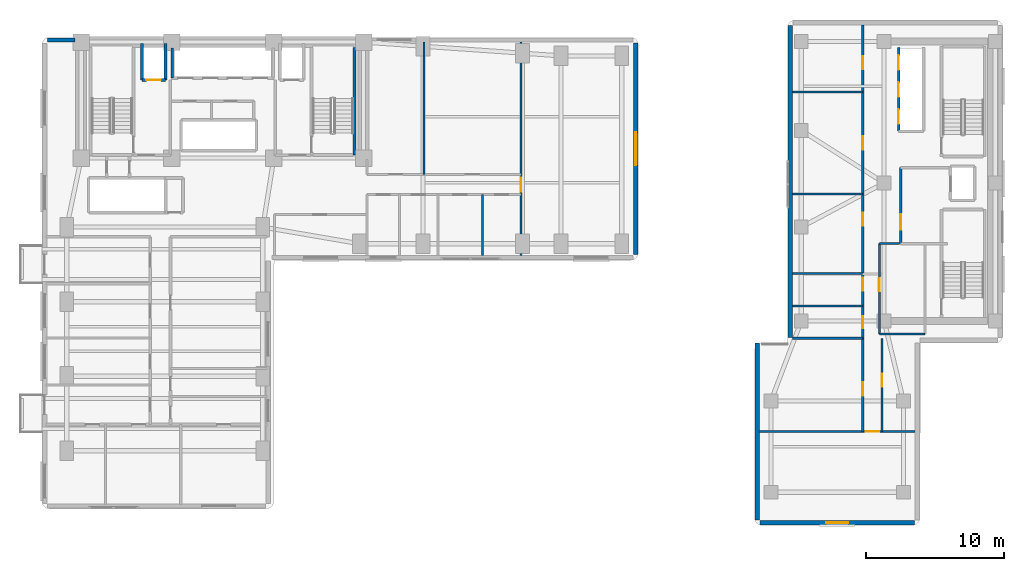
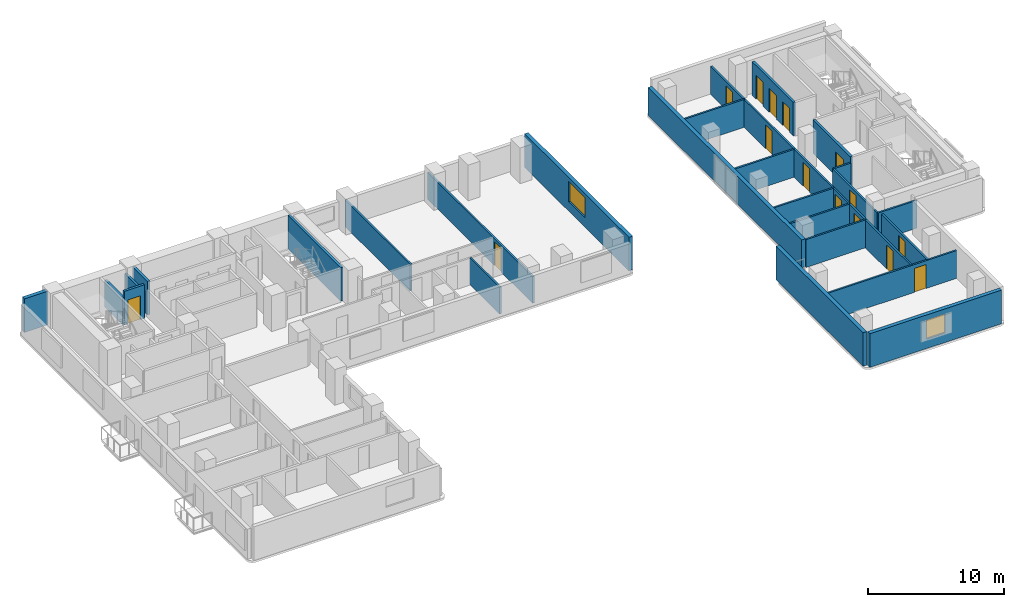
# One storey, part 12 of 18: 27 walls, 15 doors, 2 windows, 17 openings.
"""IFC4 building model written with IfcOpenShell, lengths in metres."""

from ifc_helpers import new_model, si_unit, direction, frame, frame_2d, origin, place, context, subcontext, project, spatial, rectangle, extrude, material, layer, layer_set, type_object, element, fill, save


model = new_model("IFC4")

# Units and contexts
model_context = context("Model", 3, precision=1e-05, world=origin(), true_north=direction((0.0, 1.0)))
body_context = subcontext(model_context, "Body", "Model", "MODEL_VIEW")
ifc_project = project(units=[si_unit("LENGTHUNIT", "METRE"), si_unit("AREAUNIT", "SQUARE_METRE"), si_unit("VOLUMEUNIT", "CUBIC_METRE"), si_unit("PLANEANGLEUNIT", "RADIAN"), si_unit("MASSUNIT", "GRAM", prefix="KILO")], contexts=[model_context])

# Site, building, storey
site_placement = place(None, origin())
site = spatial("IfcSite", under=ifc_project, at=site_placement, CompositionType="ELEMENT")
building_placement = place(site_placement, origin())
building = spatial("IfcBuilding", under=site, at=building_placement, Name="Kuzgunbayir Cultural Tower", CompositionType="ELEMENT")
storey_placement = place(building_placement, frame((0.0, 0.0, 53.199951171875)))
storey = spatial("IfcBuildingStorey", under=building, at=storey_placement, Name="L14", CompositionType="ELEMENT", Elevation=53.199951171875)

# Wall
ifc_material_1 = material(Name="Travertine Buff Ashlar", Category="masonry")
ifc_layer_1 = layer(ifc_material_1, 0.320068359375)
ifc_layer_set_1 = layer_set([ifc_layer_1], Name="Travertine Buff Ashlar")
wall_type_1 = type_object("IfcWallType", Name="WAL-EXT-STONE-320", PredefinedType="STANDARD", material=ifc_layer_set_1)
wall_1_placement = place(storey_placement, frame((6.0, 42.35009765625, 0.0), z_axis=(0.0, 0.0, 1.0), x_axis=(-1.0, 0.0, 0.0)))
element("IfcWall", 1, at=wall_1_placement, inside=storey, type_object=wall_type_1, Name="L14 Core North-West Spandrel Link", PredefinedType="STANDARD", context=body_context, shape_type="SweptSolid", body=[
    extrude(rectangle(XDim=2.0, YDim=0.320068359375, at=frame_2d((1.0, 0.0))), origin(), (0.0, 0.0, 1.0), 3.02001953125),
])

# Wall, opening, window
wall_2_placement = place(storey_placement, frame((46.60009765625, 26.800048828125, 0.0), z_axis=(0.0, 0.0, 1.0), x_axis=(0.0, 1.0, 0.0)))
wall_2 = element("IfcWall", 2, at=wall_2_placement, inside=storey, type_object=wall_type_1, Name="L14 Wing B East Limestone Wall", PredefinedType="STANDARD", context=body_context, shape_type="SweptSolid", body=[
    extrude(rectangle(XDim=15.349853515625, YDim=0.320068359375, at=frame_2d((7.6748046875, 0.0))), origin(), (0.0, 0.0, 1.0), 3.02001953125),
])
opening_1_placement = place(wall_2_placement, frame((6.469970703125, 0.0, 0.85009765625)))
opening_1 = element("IfcOpeningElement", 3, at=opening_1_placement, cuts=wall_2, Name="Opening WO-24", PredefinedType="OPENING", context=body_context, shape_type="SweptSolid", body=[
    extrude(rectangle(XDim=2.39990234375, YDim=1.800048828125, at=frame_2d((1.199951171875, 0.89990234375))), frame((0.0, 0.169921875, 0.0), z_axis=(0.0, -1.0, 0.0), x_axis=(1.0, 0.0, 0.0)), (0.0, 0.0, 1.0), 0.340087890625),
])
ifc_material_2 = material(Name="Solar-Control Triple Glazing", Category="glass")
window_type_1 = type_object("IfcWindowType", Name="WIN-OFFICE-24", PartitioningType="SINGLE_PANEL", PredefinedType="WINDOW", material=ifc_material_2)
window_1_placement = place(opening_1_placement, origin())
window_1 = element("IfcWindow", 4, at=window_1_placement, inside=storey, type_object=window_type_1, Name="L14 WBE Facade Window 4", OverallHeight=1.800048828125, OverallWidth=2.39990234375, PartitioningType="SINGLE_PANEL", PredefinedType="WINDOW", context=body_context, shape_type="SweptSolid", body=[
    extrude(rectangle(XDim=2.39990234375, YDim=1.800048828125, at=frame_2d((1.199951171875, 0.89990234375))), frame((0.0, 0.030029296875, 0.0), z_axis=(0.0, -1.0, 0.0), x_axis=(1.0, 0.0, 0.0)), (0.0, 0.0, 1.0), 0.06005859375),
])
fill(opening_1, window_1)

# Wall
wall_3_placement = place(storey_placement, frame((57.800048828125, 43.39990234375, 0.0), z_axis=(0.0, 0.0, 1.0), x_axis=(0.0, -1.0, 0.0)))
element("IfcWall", 5, at=wall_3_placement, inside=storey, type_object=wall_type_1, Name="L14 Companion West Limestone Wall", PredefinedType="STANDARD", context=body_context, shape_type="SweptSolid", body=[
    extrude(rectangle(XDim=22.599853515625, YDim=0.320068359375, at=frame_2d((11.2998046875, 0.0))), origin(), (0.0, 0.0, 1.0), 2.5),
])

# Wall, opening, window
wall_4_placement = place(storey_placement, frame((55.60009765625, 7.39990234375, 0.0), z_axis=(0.0, 0.0, 1.0), x_axis=(1.0, 0.0, 0.0)))
wall_4 = element("IfcWall", 6, at=wall_4_placement, inside=storey, type_object=wall_type_1, Name="L14 Companion Wing B South Wall", PredefinedType="STANDARD", context=body_context, shape_type="SweptSolid", body=[
    extrude(rectangle(XDim=11.199951171875, YDim=0.320068359375, at=frame_2d((5.60009765625, 0.0))), origin(), (0.0, 0.0, 1.0), 3.02001953125),
])
opening_2_placement = place(wall_4_placement, frame((4.800048828125, 0.0, 0.85009765625)))
opening_2 = element("IfcOpeningElement", 7, at=opening_2_placement, cuts=wall_4, Name="Opening WC-16", PredefinedType="OPENING", context=body_context, shape_type="SweptSolid", body=[
    extrude(rectangle(XDim=1.60009765625, YDim=1.699951171875, at=frame_2d((0.800048828125, 0.85009765625))), frame((0.0, 0.169921875, 0.0), z_axis=(0.0, -1.0, 0.0), x_axis=(1.0, 0.0, 0.0)), (0.0, 0.0, 1.0), 0.340087890625),
])
window_type_2 = type_object("IfcWindowType", Name="WIN-COMP-16", PartitioningType="SINGLE_PANEL", PredefinedType="WINDOW", material=ifc_material_2)
window_2_placement = place(opening_2_placement, origin())
window_2 = element("IfcWindow", 8, at=window_2_placement, inside=storey, type_object=window_type_2, Name="L14 Companion South Window", OverallHeight=1.699951171875, OverallWidth=1.60009765625, PartitioningType="SINGLE_PANEL", PredefinedType="WINDOW", context=body_context, shape_type="SweptSolid", body=[
    extrude(rectangle(XDim=1.60009765625, YDim=1.699951171875, at=frame_2d((0.800048828125, 0.85009765625))), frame((0.0, 0.030029296875, 0.0), z_axis=(0.0, -1.0, 0.0), x_axis=(1.0, 0.0, 0.0)), (0.0, 0.0, 1.0), 0.06005859375),
])
fill(opening_2, window_2)

# Wall
wall_5_placement = place(storey_placement, frame((55.39990234375, 20.39990234375, 0.0), z_axis=(0.0, 0.0, 1.0), x_axis=(0.0, -1.0, 0.0)))
element("IfcWall", 9, at=wall_5_placement, inside=storey, type_object=wall_type_1, Name="L14 Companion Wing B West Wall", PredefinedType="STANDARD", context=body_context, shape_type="SweptSolid", body=[
    extrude(rectangle(XDim=12.7998046875, YDim=0.320068359375, at=frame_2d((6.39990234375, 0.0))), origin(), (0.0, 0.0, 1.0), 3.02001953125),
])

# Wall, opening, door
ifc_material_3 = material(Name="Acoustic Double-Stud Drywall", Category="gypsum")
ifc_layer_2 = layer(ifc_material_3, 0.14990234375)
ifc_layer_set_2 = layer_set([ifc_layer_2], Name="Acoustic Double-Stud Drywall")
wall_type_2 = type_object("IfcWallType", Name="WAL-PART-ACOUSTIC-150", PredefinedType="PARTITIONING", material=ifc_layer_set_2)
wall_6_placement = place(storey_placement, frame((38.300048828125, 26.75, 0.0), z_axis=(0.0, 0.0, 1.0), x_axis=(0.0, 1.0, 0.0)))
wall_6 = element("IfcWall", 10, at=wall_6_placement, inside=storey, type_object=wall_type_2, Name="L14 Wing B East Suite Wall", PredefinedType="PARTITIONING", context=body_context, shape_type="SweptSolid", body=[
    extrude(rectangle(XDim=15.449951171875, YDim=0.14990234375, at=frame_2d((7.72509765625, 0.0))), origin(), (0.0, 0.0, 1.0), 2.41015625),
])
opening_3_placement = place(wall_6_placement, frame((4.6201171875, 0.0, 0.0)))
opening_3 = element("IfcOpeningElement", 11, at=opening_3_placement, cuts=wall_6, Name="Opening DI-100", PredefinedType="OPENING", context=body_context, shape_type="SweptSolid", body=[
    extrude(rectangle(XDim=1.0, YDim=2.14990234375, at=frame_2d((0.5, 1.074951171875))), frame((0.0, 0.0849609375, 0.0), z_axis=(0.0, -1.0, 0.0), x_axis=(1.0, 0.0, 0.0)), (0.0, 0.0, 1.0), 0.169921875),
])
ifc_material_4 = material(Name="Veneered Oak Single Leaf", Category="wood")
door_type_1 = type_object("IfcDoorType", Name="DR-INT-100", OperationType="NOTDEFINED", PredefinedType="DOOR", material=ifc_material_4)
door_1_placement = place(opening_3_placement, origin())
door_1 = element("IfcDoor", 12, at=door_1_placement, inside=storey, type_object=door_type_1, Name="L14 East Conference Hall Door", OperationType="SINGLE_SWING_LEFT", OverallHeight=2.14990234375, OverallWidth=1.0, PredefinedType="DOOR", context=body_context, shape_type="SweptSolid", body=[
    extrude(rectangle(XDim=1.0, YDim=2.14990234375, at=frame_2d((0.5, 1.074951171875))), frame((0.0, 0.02490234375, 0.0), z_axis=(0.0, -1.0, 0.0), x_axis=(1.0, 0.0, 0.0)), (0.0, 0.0, 1.0), 0.050048828125),
])
fill(opening_3, door_1)

# Walls
wall_7_placement = place(storey_placement, frame((35.510009765625, 26.75, 0.0), z_axis=(0.0, 0.0, 1.0), x_axis=(0.0, 1.0, 0.0)))
element("IfcWall", 13, at=wall_7_placement, inside=storey, type_object=wall_type_2, Name="L14 Wing B South Partition 3", PredefinedType="PARTITIONING", context=body_context, shape_type="SweptSolid", body=[
    extrude(rectangle(XDim=4.39990234375, YDim=0.14990234375, at=frame_2d((2.199951171875, 0.0))), origin(), (0.0, 0.0, 1.0), 2.41015625),
])
wall_8_placement = place(storey_placement, frame((31.280029296875, 32.60009765625, 0.0), z_axis=(0.0, 0.0, 1.0), x_axis=(0.0, 1.0, 0.0)))
element("IfcWall", 14, at=wall_8_placement, inside=storey, type_object=wall_type_2, Name="L14 Wing B North Partition 1", PredefinedType="PARTITIONING", context=body_context, shape_type="SweptSolid", body=[
    extrude(rectangle(XDim=9.599853515625, YDim=0.14990234375, at=frame_2d((4.7998046875, 0.0))), origin(), (0.0, 0.0, 1.0), 2.41015625),
])

# Wall, opening, door
wall_9_placement = place(storey_placement, frame((64.25, 21.050048828125, 0.0), z_axis=(0.0, 0.0, 1.0), x_axis=(0.0, 1.0, 0.0)))
wall_9 = element("IfcWall", 15, at=wall_9_placement, inside=storey, type_object=wall_type_2, Name="L14 Companion Archive West Wall", PredefinedType="PARTITIONING", context=body_context, shape_type="SweptSolid", body=[
    extrude(rectangle(XDim=6.550048828125, YDim=0.14990234375, at=frame_2d((3.27490234375, 0.0))), origin(), (0.0, 0.0, 1.0), 2.5),
])
opening_4_placement = place(wall_9_placement, frame((3.10009765625, 0.0, 0.0)))
opening_4 = element("IfcOpeningElement", 16, at=opening_4_placement, cuts=wall_9, Name="Opening DI-90", PredefinedType="OPENING", context=body_context, shape_type="SweptSolid", body=[
    extrude(rectangle(XDim=0.949951171875, YDim=2.14990234375, at=frame_2d((0.47509765625, 1.074951171875))), frame((0.0, 0.0849609375, 0.0), z_axis=(0.0, -1.0, 0.0), x_axis=(1.0, 0.0, 0.0)), (0.0, 0.0, 1.0), 0.169921875),
])
door_type_2 = type_object("IfcDoorType", Name="DR-INT-90", OperationType="NOTDEFINED", PredefinedType="DOOR", material=ifc_material_4)
door_2_placement = place(opening_4_placement, origin())
door_2 = element("IfcDoor", 17, at=door_2_placement, inside=storey, type_object=door_type_2, Name="L14 Companion Archive Door", OperationType="SINGLE_SWING_RIGHT", OverallHeight=2.14990234375, OverallWidth=0.949951171875, PredefinedType="DOOR", context=body_context, shape_type="SweptSolid", body=[
    extrude(rectangle(XDim=0.949951171875, YDim=2.14990234375, at=frame_2d((0.47509765625, 1.074951171875))), frame((0.0, 0.02490234375, 0.0), z_axis=(0.0, -1.0, 0.0), x_axis=(1.0, 0.0, 0.0)), (0.0, 0.0, 1.0), 0.050048828125),
])
fill(opening_4, door_2)

# Walls
wall_10_placement = place(storey_placement, frame((64.25, 21.050048828125, 0.0), z_axis=(0.0, 0.0, 1.0), x_axis=(1.0, 0.0, 0.0)))
element("IfcWall", 18, at=wall_10_placement, inside=storey, type_object=wall_type_2, Name="L14 Companion Archive South Wall", PredefinedType="PARTITIONING", context=body_context, shape_type="SweptSolid", body=[
    extrude(rectangle(XDim=3.300048828125, YDim=0.14990234375, at=frame_2d((1.64990234375, 0.0))), origin(), (0.0, 0.0, 1.0), 2.5),
])
wall_11_placement = place(storey_placement, frame((64.25, 27.60009765625, 0.0), z_axis=(0.0, 0.0, 1.0), x_axis=(1.0, 0.0, 0.0)))
element("IfcWall", 19, at=wall_11_placement, inside=storey, type_object=wall_type_2, Name="L14 Companion Archive North Wall", PredefinedType="PARTITIONING", context=body_context, shape_type="SweptSolid", body=[
    extrude(rectangle(XDim=1.469970703125, YDim=0.14990234375, at=frame_2d((0.73486328125, 0.0))), origin(), (0.0, 0.0, 1.0), 2.5),
])

# Wall, openings, doors
wall_12_placement = place(storey_placement, frame((63.050048828125, 20.75, 0.0), z_axis=(0.0, 0.0, 1.0), x_axis=(0.0, 1.0, 0.0)))
wall_12 = element("IfcWall", 20, at=wall_12_placement, inside=storey, type_object=wall_type_2, Name="L14 Companion Corridor West Wall", PredefinedType="PARTITIONING", context=body_context, shape_type="SweptSolid", body=[
    extrude(rectangle(XDim=22.699951171875, YDim=0.14990234375, at=frame_2d((11.35009765625, 0.0))), origin(), (0.0, 0.0, 1.0), 2.5),
])
opening_5_placement = place(wall_12_placement, frame((0.72998046875, 0.0, 0.0)))
opening_5 = element("IfcOpeningElement", 21, at=opening_5_placement, cuts=wall_12, Name="Opening DW-85", PredefinedType="OPENING", context=body_context, shape_type="SweptSolid", body=[
    extrude(rectangle(XDim=0.85009765625, YDim=2.10009765625, at=frame_2d((0.425048828125, 1.050048828125))), frame((0.0, 0.0849609375, 0.0), z_axis=(0.0, -1.0, 0.0), x_axis=(1.0, 0.0, 0.0)), (0.0, 0.0, 1.0), 0.169921875),
])
opening_6_placement = place(wall_12_placement, frame((3.429931640625, 0.0, 0.0)))
opening_6 = element("IfcOpeningElement", 22, at=opening_6_placement, cuts=wall_12, Name="Opening DW-95", PredefinedType="OPENING", context=body_context, shape_type="SweptSolid", body=[
    extrude(rectangle(XDim=0.949951171875, YDim=2.10009765625, at=frame_2d((0.47509765625, 1.050048828125))), frame((0.0, 0.0849609375, 0.0), z_axis=(0.0, -1.0, 0.0), x_axis=(1.0, 0.0, 0.0)), (0.0, 0.0, 1.0), 0.169921875),
])
opening_7_placement = place(wall_12_placement, frame((8.14990234375, 0.0, 0.0)))
opening_7 = element("IfcOpeningElement", 23, at=opening_7_placement, cuts=wall_12, Name="Opening DI-90", PredefinedType="OPENING", context=body_context, shape_type="SweptSolid", body=[
    extrude(rectangle(XDim=0.949951171875, YDim=2.14990234375, at=frame_2d((0.47509765625, 1.074951171875))), frame((0.0, 0.0849609375, 0.0), z_axis=(0.0, -1.0, 0.0), x_axis=(1.0, 0.0, 0.0)), (0.0, 0.0, 1.0), 0.169921875),
])
opening_8_placement = place(wall_12_placement, frame((13.669921875, 0.0, 0.0)))
opening_8 = element("IfcOpeningElement", 24, at=opening_8_placement, cuts=wall_12, Name="Opening DI-90", PredefinedType="OPENING", context=body_context, shape_type="SweptSolid", body=[
    extrude(rectangle(XDim=0.949951171875, YDim=2.14990234375, at=frame_2d((0.47509765625, 1.074951171875))), frame((0.0, 0.0849609375, 0.0), z_axis=(0.0, -1.0, 0.0), x_axis=(1.0, 0.0, 0.0)), (0.0, 0.0, 1.0), 0.169921875),
])
opening_9_placement = place(wall_12_placement, frame((19.469970703125, 0.0, 0.0)))
opening_9 = element("IfcOpeningElement", 25, at=opening_9_placement, cuts=wall_12, Name="Opening DI-90", PredefinedType="OPENING", context=body_context, shape_type="SweptSolid", body=[
    extrude(rectangle(XDim=0.949951171875, YDim=2.14990234375, at=frame_2d((0.47509765625, 1.074951171875))), frame((0.0, 0.0849609375, 0.0), z_axis=(0.0, -1.0, 0.0), x_axis=(1.0, 0.0, 0.0)), (0.0, 0.0, 1.0), 0.169921875),
])
door_3_placement = place(opening_7_placement, origin())
door_3 = element("IfcDoor", 26, at=door_3_placement, inside=storey, type_object=door_type_2, Name="L14 Companion Wellness Consultation Studio 1 Door", OperationType="SINGLE_SWING_LEFT", OverallHeight=2.14990234375, OverallWidth=0.949951171875, PredefinedType="DOOR", context=body_context, shape_type="SweptSolid", body=[
    extrude(rectangle(XDim=0.949951171875, YDim=2.14990234375, at=frame_2d((0.47509765625, 1.074951171875))), frame((0.0, 0.02490234375, 0.0), z_axis=(0.0, -1.0, 0.0), x_axis=(1.0, 0.0, 0.0)), (0.0, 0.0, 1.0), 0.050048828125),
])
fill(opening_7, door_3)
door_4_placement = place(opening_8_placement, origin())
door_4 = element("IfcDoor", 27, at=door_4_placement, inside=storey, type_object=door_type_2, Name="L14 Companion Fellows Reading Lounge 2 Door", OperationType="SINGLE_SWING_RIGHT", OverallHeight=2.14990234375, OverallWidth=0.949951171875, PredefinedType="DOOR", context=body_context, shape_type="SweptSolid", body=[
    extrude(rectangle(XDim=0.949951171875, YDim=2.14990234375, at=frame_2d((0.47509765625, 1.074951171875))), frame((0.0, 0.02490234375, 0.0), z_axis=(0.0, -1.0, 0.0), x_axis=(1.0, 0.0, 0.0)), (0.0, 0.0, 1.0), 0.050048828125),
])
fill(opening_8, door_4)
door_5_placement = place(opening_9_placement, origin())
door_5 = element("IfcDoor", 28, at=door_5_placement, inside=storey, type_object=door_type_2, Name="L14 Companion Curatorial Office 3 Door", OperationType="SINGLE_SWING_LEFT", OverallHeight=2.14990234375, OverallWidth=0.949951171875, PredefinedType="DOOR", context=body_context, shape_type="SweptSolid", body=[
    extrude(rectangle(XDim=0.949951171875, YDim=2.14990234375, at=frame_2d((0.47509765625, 1.074951171875))), frame((0.0, 0.02490234375, 0.0), z_axis=(0.0, -1.0, 0.0), x_axis=(1.0, 0.0, 0.0)), (0.0, 0.0, 1.0), 0.050048828125),
])
fill(opening_9, door_5)
ifc_material_5 = material(Name="Laminate Moisture-Resistant Leaf", Category="wood")
door_type_3 = type_object("IfcDoorType", Name="DR-WET-85", OperationType="NOTDEFINED", PredefinedType="DOOR", material=ifc_material_5)
door_6_placement = place(opening_5_placement, origin())
door_6 = element("IfcDoor", 29, at=door_6_placement, inside=storey, type_object=door_type_3, Name="L14 Companion WC Door", OperationType="SINGLE_SWING_LEFT", OverallHeight=2.10009765625, OverallWidth=0.85009765625, PredefinedType="DOOR", context=body_context, shape_type="SweptSolid", body=[
    extrude(rectangle(XDim=0.85009765625, YDim=2.10009765625, at=frame_2d((0.425048828125, 1.050048828125))), frame((0.0, 0.02490234375, 0.0), z_axis=(0.0, -1.0, 0.0), x_axis=(1.0, 0.0, 0.0)), (0.0, 0.0, 1.0), 0.050048828125),
])
fill(opening_5, door_6)
door_type_4 = type_object("IfcDoorType", Name="DR-WET-95", OperationType="NOTDEFINED", PredefinedType="DOOR", material=ifc_material_5)
door_7_placement = place(opening_6_placement, origin())
door_7 = element("IfcDoor", 30, at=door_7_placement, inside=storey, type_object=door_type_4, Name="L14 Companion Accessible WC Door", OperationType="SINGLE_SWING_RIGHT", OverallHeight=2.10009765625, OverallWidth=0.949951171875, PredefinedType="DOOR", context=body_context, shape_type="SweptSolid", body=[
    extrude(rectangle(XDim=0.949951171875, YDim=2.10009765625, at=frame_2d((0.47509765625, 1.050048828125))), frame((0.0, 0.02490234375, 0.0), z_axis=(0.0, -1.0, 0.0), x_axis=(1.0, 0.0, 0.0)), (0.0, 0.0, 1.0), 0.050048828125),
])
fill(opening_6, door_7)

# Walls
for number, where, z_axis, x_axis, name in (
    (31, (57.949951171875, 31.2099609375, 0.0), (0.0, 0.0, 1.0), (1.0, 0.0, 0.0), "L14 Companion Studio Partition 1"),
    (32, (57.949951171875, 38.590087890625, 0.0), (0.0, 0.0, 1.0), (1.0, 0.0, 0.0), "L14 Companion Studio Partition 2"),
):
    element("IfcWall", number, at=place(storey_placement, frame(where, z_axis=z_axis, x_axis=x_axis)), inside=storey, type_object=wall_type_2, Name=name, PredefinedType="PARTITIONING", context=body_context, shape_type="SweptSolid", body=[
        extrude(rectangle(XDim=5.10009765625, YDim=0.14990234375, at=frame_2d((2.550048828125, 0.0))), origin(), (0.0, 0.0, 1.0), 2.5),
    ])

# Wall, opening, door
wall_13_placement = place(storey_placement, frame((63.050048828125, 14.0, 0.0), z_axis=(0.0, 0.0, 1.0), x_axis=(0.0, 1.0, 0.0)))
wall_13 = element("IfcWall", 33, at=wall_13_placement, inside=storey, type_object=wall_type_2, Name="L14 Companion South Corridor West Wall", PredefinedType="PARTITIONING", context=body_context, shape_type="SweptSolid", body=[
    extrude(rectangle(XDim=6.75, YDim=0.14990234375, at=frame_2d((3.375, 0.0))), origin(), (0.0, 0.0, 1.0), 2.5),
])
opening_10_placement = place(wall_13_placement, frame((2.60009765625, 0.0, 0.0)))
opening_10 = element("IfcOpeningElement", 34, at=opening_10_placement, cuts=wall_13, Name="Opening DI-90", PredefinedType="OPENING", context=body_context, shape_type="SweptSolid", body=[
    extrude(rectangle(XDim=0.949951171875, YDim=2.14990234375, at=frame_2d((0.47509765625, 1.074951171875))), frame((0.0, 0.0849609375, 0.0), z_axis=(0.0, -1.0, 0.0), x_axis=(1.0, 0.0, 0.0)), (0.0, 0.0, 1.0), 0.169921875),
])
door_8_placement = place(opening_10_placement, origin())
door_8 = element("IfcDoor", 35, at=door_8_placement, inside=storey, type_object=door_type_2, Name="L14 Companion West Atelier Door", OperationType="SINGLE_SWING_RIGHT", OverallHeight=2.14990234375, OverallWidth=0.949951171875, PredefinedType="DOOR", context=body_context, shape_type="SweptSolid", body=[
    extrude(rectangle(XDim=0.949951171875, YDim=2.14990234375, at=frame_2d((0.47509765625, 1.074951171875))), frame((0.0, 0.02490234375, 0.0), z_axis=(0.0, -1.0, 0.0), x_axis=(1.0, 0.0, 0.0)), (0.0, 0.0, 1.0), 0.050048828125),
])
fill(opening_10, door_8)

wall_14_placement = place(storey_placement, frame((55.550048828125, 14.0, 0.0), z_axis=(0.0, 0.0, 1.0), x_axis=(1.0, 0.0, 0.0)))
wall_14 = element("IfcWall", 36, at=wall_14_placement, inside=storey, type_object=wall_type_2, Name="L14 Companion South Gallery Wall", PredefinedType="PARTITIONING", context=body_context, shape_type="SweptSolid", body=[
    extrude(rectangle(XDim=11.300048828125, YDim=0.14990234375, at=frame_2d((5.64990234375, 0.0))), origin(), (0.0, 0.0, 1.0), 2.5),
])
opening_11_placement = place(wall_14_placement, frame((7.699951171875, 0.0, 0.0)))
opening_11 = element("IfcOpeningElement", 37, at=opening_11_placement, cuts=wall_14, Name="Opening DI-100", PredefinedType="OPENING", context=body_context, shape_type="SweptSolid", body=[
    extrude(rectangle(XDim=1.0, YDim=2.14990234375, at=frame_2d((0.5, 1.074951171875))), frame((0.0, 0.0849609375, 0.0), z_axis=(0.0, -1.0, 0.0), x_axis=(1.0, 0.0, 0.0)), (0.0, 0.0, 1.0), 0.169921875),
])
door_9_placement = place(opening_11_placement, origin())
door_9 = element("IfcDoor", 38, at=door_9_placement, inside=storey, type_object=door_type_1, Name="L14 Companion South Salon Door", OperationType="SINGLE_SWING_RIGHT", OverallHeight=2.14990234375, OverallWidth=1.0, PredefinedType="DOOR", context=body_context, shape_type="SweptSolid", body=[
    extrude(rectangle(XDim=1.0, YDim=2.14990234375, at=frame_2d((0.5, 1.074951171875))), frame((0.0, 0.02490234375, 0.0), z_axis=(0.0, -1.0, 0.0), x_axis=(1.0, 0.0, 0.0)), (0.0, 0.0, 1.0), 0.050048828125),
])
fill(opening_11, door_9)

wall_15_placement = place(storey_placement, frame((64.449951171875, 14.0, 0.0), z_axis=(0.0, 0.0, 1.0), x_axis=(0.0, 1.0, 0.0)))
wall_15 = element("IfcWall", 39, at=wall_15_placement, inside=storey, type_object=wall_type_2, Name="L14 Companion South Corridor East Wall", PredefinedType="PARTITIONING", context=body_context, shape_type="SweptSolid", body=[
    extrude(rectangle(XDim=6.75, YDim=0.14990234375, at=frame_2d((3.375, 0.0))), origin(), (0.0, 0.0, 1.0), 2.5),
])
opening_12_placement = place(wall_15_placement, frame((3.239990234375, 0.0, 0.0)))
opening_12 = element("IfcOpeningElement", 40, at=opening_12_placement, cuts=wall_15, Name="Opening DI-90", PredefinedType="OPENING", context=body_context, shape_type="SweptSolid", body=[
    extrude(rectangle(XDim=0.949951171875, YDim=2.14990234375, at=frame_2d((0.47509765625, 1.074951171875))), frame((0.0, 0.0849609375, 0.0), z_axis=(0.0, -1.0, 0.0), x_axis=(1.0, 0.0, 0.0)), (0.0, 0.0, 1.0), 0.169921875),
])
door_10_placement = place(opening_12_placement, origin())
door_10 = element("IfcDoor", 41, at=door_10_placement, inside=storey, type_object=door_type_2, Name="L14 Companion East Studio Door", OperationType="SINGLE_SWING_LEFT", OverallHeight=2.14990234375, OverallWidth=0.949951171875, PredefinedType="DOOR", context=body_context, shape_type="SweptSolid", body=[
    extrude(rectangle(XDim=0.949951171875, YDim=2.14990234375, at=frame_2d((0.47509765625, 1.074951171875))), frame((0.0, 0.02490234375, 0.0), z_axis=(0.0, -1.0, 0.0), x_axis=(1.0, 0.0, 0.0)), (0.0, 0.0, 1.0), 0.050048828125),
])
fill(opening_12, door_10)

ifc_material_6 = material(Name="Aerated Concrete Blockwork", Category="masonry")
ifc_layer_3 = layer(ifc_material_6, 0.199951171875)
ifc_layer_set_3 = layer_set([ifc_layer_3], Name="Aerated Concrete Blockwork")
wall_type_3 = type_object("IfcWallType", Name="WAL-PART-FIRE-200", PredefinedType="PARTITIONING", material=ifc_layer_set_3)
wall_16_placement = place(storey_placement, frame((65.800048828125, 27.60009765625, 0.0), z_axis=(0.0, 0.0, 1.0), x_axis=(0.0, 1.0, 0.0)))
wall_16 = element("IfcWall", 42, at=wall_16_placement, inside=storey, type_object=wall_type_3, Name="L14 FFL-3 Lobby West Fire Wall", PredefinedType="PARTITIONING", context=body_context, shape_type="SweptSolid", body=[
    extrude(rectangle(XDim=5.5, YDim=0.199951171875, at=frame_2d((2.75, 0.0))), origin(), (0.0, 0.0, 1.0), 3.02001953125),
])
opening_13_placement = place(wall_16_placement, frame((1.0, 0.0, 0.0)))
opening_13 = element("IfcOpeningElement", 43, at=opening_13_placement, cuts=wall_16, Name="Opening DR-FFL-90", PredefinedType="OPENING", context=body_context, shape_type="SweptSolid", body=[
    extrude(rectangle(XDim=1.14990234375, YDim=2.14990234375, at=frame_2d((0.574951171875, 1.074951171875))), frame((0.0, 0.10986328125, 0.0), z_axis=(0.0, -1.0, 0.0), x_axis=(1.0, 0.0, 0.0)), (0.0, 0.0, 1.0), 0.219970703125),
])
ifc_material_7 = material(Name="Steel S355J2", Category="steel")
door_type_5 = type_object("IfcDoorType", Name="DR-FFL-90", OperationType="NOTDEFINED", PredefinedType="DOOR", material=ifc_material_7)
door_11_placement = place(opening_13_placement, origin())
door_11 = element("IfcDoor", 44, at=door_11_placement, inside=storey, type_object=door_type_5, Name="L14 Firefighting Lobby 3 Door", OperationType="SINGLE_SWING_RIGHT", OverallHeight=2.14990234375, OverallWidth=1.14990234375, PredefinedType="DOOR", context=body_context, shape_type="SweptSolid", body=[
    extrude(rectangle(XDim=1.14990234375, YDim=2.14990234375, at=frame_2d((0.574951171875, 1.074951171875))), frame((0.0, 0.02490234375, 0.0), z_axis=(0.0, -1.0, 0.0), x_axis=(1.0, 0.0, 0.0)), (0.0, 0.0, 1.0), 0.050048828125),
])
fill(opening_13, door_11)

# Walls
ifc_material_8 = material(Name="Moisture-Resistant Tile Partition", Category="gypsum")
ifc_layer_4 = layer(ifc_material_8, 0.14990234375)
ifc_layer_set_4 = layer_set([ifc_layer_4], Name="Moisture-Resistant Tile Partition")
wall_type_4 = type_object("IfcWallType", Name="WAL-PART-WET-150", PredefinedType="PARTITIONING", material=ifc_layer_set_4)
for number, where, z_axis, x_axis, name in (
    (45, (57.949951171875, 20.75, 0.0), (0.0, 0.0, 1.0), (1.0, 0.0, 0.0), "L14 Companion WC South Wall"),
    (46, (57.949951171875, 23.10009765625, 0.0), (0.0, 0.0, 1.0), (1.0, 0.0, 0.0), "L14 Companion WC North Wall"),
    (47, (57.949951171875, 25.449951171875, 0.0), (0.0, 0.0, 1.0), (1.0, 0.0, 0.0), "L14 Companion Accessible WC Wall"),
):
    element("IfcWall", number, at=place(storey_placement, frame(where, z_axis=z_axis, x_axis=x_axis)), inside=storey, type_object=wall_type_4, Name=name, PredefinedType="PARTITIONING", context=body_context, shape_type="SweptSolid", body=[
        extrude(rectangle(XDim=5.10009765625, YDim=0.14990234375, at=frame_2d((2.550048828125, 0.0))), origin(), (0.0, 0.0, 1.0), 2.5),
    ])

# Wall, opening, door
ifc_material_9 = material(Name="Concrete C40/50", Category="concrete")
ifc_layer_5 = layer(ifc_material_9, 0.199951171875)
ifc_layer_set_5 = layer_set([ifc_layer_5], Name="Concrete C40/50")
wall_type_5 = type_object("IfcWallType", Name="WAL-SHAFT-200", PredefinedType="MOVABLE", material=ifc_layer_set_5)
wall_17_placement = place(storey_placement, frame((10.85009765625, 39.449951171875, 0.0), z_axis=(0.0, 0.0, 1.0), x_axis=(1.0, 0.0, 0.0)))
wall_17 = element("IfcWall", 48, at=wall_17_placement, inside=storey, type_object=wall_type_5, Name="L14 FFL-1 Lift Front Wall", PredefinedType="MOVABLE", context=body_context, shape_type="SweptSolid", body=[
    extrude(rectangle(XDim=1.699951171875, YDim=0.199951171875, at=frame_2d((0.85009765625, 0.0))), origin(), (0.0, 0.0, 1.0), 3.02001953125),
])
opening_14_placement = place(wall_17_placement, frame((0.320068359375, 0.0, 0.0)))
opening_14 = element("IfcOpeningElement", 49, at=opening_14_placement, cuts=wall_17, Name="Opening LD", PredefinedType="OPENING", context=body_context, shape_type="SweptSolid", body=[
    extrude(rectangle(XDim=1.050048828125, YDim=2.14990234375, at=frame_2d((0.52490234375, 1.074951171875))), frame((0.0, 0.10986328125, 0.0), z_axis=(0.0, -1.0, 0.0), x_axis=(1.0, 0.0, 0.0)), (0.0, 0.0, 1.0), 0.219970703125),
])
ifc_material_10 = material(Name="Brushed Stainless Steel", Category="steel")
door_type_6 = type_object("IfcDoorType", Name="DR-LIFT-LANDING", OperationType="SLIDING_TO_LEFT", PredefinedType="DOOR", material=ifc_material_10)
door_12_placement = place(opening_14_placement, origin())
door_12 = element("IfcDoor", 50, at=door_12_placement, inside=storey, type_object=door_type_6, Name="L14 Lift FFL-1 Landing Door", OperationType="SLIDING_TO_LEFT", OverallHeight=2.14990234375, OverallWidth=1.050048828125, PredefinedType="DOOR", context=body_context, shape_type="SweptSolid", body=[
    extrude(rectangle(XDim=1.050048828125, YDim=2.14990234375, at=frame_2d((0.52490234375, 1.074951171875))), frame((0.0, 0.02490234375, 0.0), z_axis=(0.0, -1.0, 0.0), x_axis=(1.0, 0.0, 0.0)), (0.0, 0.0, 1.0), 0.050048828125),
])
fill(opening_14, door_12)

# Walls
for number, where, z_axis, x_axis, name in (
    (51, (10.85009765625, 39.449951171875, 0.0), (0.0, 0.0, 1.0), (0.0, 1.0, 0.0), "L14 FFL-1 Shaft West Wall"),
    (52, (12.550048828125, 39.449951171875, 0.0), (0.0, 0.0, 1.0), (0.0, 1.0, 0.0), "L14 FFL-1 Shaft East Wall"),
):
    element("IfcWall", number, at=place(storey_placement, frame(where, z_axis=z_axis, x_axis=x_axis)), inside=storey, type_object=wall_type_5, Name=name, PredefinedType="MOVABLE", context=body_context, shape_type="SweptSolid", body=[
        extrude(rectangle(XDim=2.650146484375, YDim=0.199951171875, at=frame_2d((1.3251953125, 0.0))), origin(), (0.0, 0.0, 1.0), 2.41015625),
    ])
wall_18_placement = place(storey_placement, frame((13.050048828125, 39.60009765625, 0.0), z_axis=(0.0, 0.0, 1.0), x_axis=(0.0, 1.0, 0.0)))
element("IfcWall", 53, at=wall_18_placement, inside=storey, type_object=wall_type_5, Name="L14 Low-Rise Lift Shaft West Wall", PredefinedType="MOVABLE", context=body_context, shape_type="SweptSolid", body=[
    extrude(rectangle(XDim=2.179931640625, YDim=0.199951171875, at=frame_2d((1.08984375, 0.0))), origin(), (0.0, 0.0, 1.0), 3.02001953125),
])

# Wall, openings, doors
wall_19_placement = place(storey_placement, frame((65.64990234375, 35.75, 0.0), z_axis=(0.0, 0.0, 1.0), x_axis=(0.0, 1.0, 0.0)))
wall_19 = element("IfcWall", 54, at=wall_19_placement, inside=storey, type_object=wall_type_5, Name="L14 Companion Lift Front Wall", PredefinedType="MOVABLE", context=body_context, shape_type="SweptSolid", body=[
    extrude(rectangle(XDim=6.050048828125, YDim=0.199951171875, at=frame_2d((3.02490234375, 0.0))), origin(), (0.0, 0.0, 1.0), 3.02001953125),
])
opening_15_placement = place(wall_19_placement, frame((0.52001953125, 0.0, 0.0)))
opening_15 = element("IfcOpeningElement", 55, at=opening_15_placement, cuts=wall_19, Name="Opening LD", PredefinedType="OPENING", context=body_context, shape_type="SweptSolid", body=[
    extrude(rectangle(XDim=1.050048828125, YDim=2.14990234375, at=frame_2d((0.52490234375, 1.074951171875))), frame((0.0, 0.10986328125, 0.0), z_axis=(0.0, -1.0, 0.0), x_axis=(1.0, 0.0, 0.0)), (0.0, 0.0, 1.0), 0.219970703125),
])
opening_16_placement = place(wall_19_placement, frame((2.47998046875, 0.0, 0.0)))
opening_16 = element("IfcOpeningElement", 56, at=opening_16_placement, cuts=wall_19, Name="Opening LD", PredefinedType="OPENING", context=body_context, shape_type="SweptSolid", body=[
    extrude(rectangle(XDim=1.050048828125, YDim=2.14990234375, at=frame_2d((0.52490234375, 1.074951171875))), frame((0.0, 0.10986328125, 0.0), z_axis=(0.0, -1.0, 0.0), x_axis=(1.0, 0.0, 0.0)), (0.0, 0.0, 1.0), 0.219970703125),
])
opening_17_placement = place(wall_19_placement, frame((4.429931640625, 0.0, 0.0)))
opening_17 = element("IfcOpeningElement", 57, at=opening_17_placement, cuts=wall_19, Name="Opening LD", PredefinedType="OPENING", context=body_context, shape_type="SweptSolid", body=[
    extrude(rectangle(XDim=1.050048828125, YDim=2.14990234375, at=frame_2d((0.52490234375, 1.074951171875))), frame((0.0, 0.10986328125, 0.0), z_axis=(0.0, -1.0, 0.0), x_axis=(1.0, 0.0, 0.0)), (0.0, 0.0, 1.0), 0.219970703125),
])
door_13_placement = place(opening_15_placement, origin())
door_13 = element("IfcDoor", 58, at=door_13_placement, inside=storey, type_object=door_type_6, Name="L14 Lift PC-1 Landing Door", OperationType="SLIDING_TO_LEFT", OverallHeight=2.14990234375, OverallWidth=1.050048828125, PredefinedType="DOOR", context=body_context, shape_type="SweptSolid", body=[
    extrude(rectangle(XDim=1.050048828125, YDim=2.14990234375, at=frame_2d((0.52490234375, 1.074951171875))), frame((0.0, 0.02490234375, 0.0), z_axis=(0.0, -1.0, 0.0), x_axis=(1.0, 0.0, 0.0)), (0.0, 0.0, 1.0), 0.050048828125),
])
fill(opening_15, door_13)
door_14_placement = place(opening_16_placement, origin())
door_14 = element("IfcDoor", 59, at=door_14_placement, inside=storey, type_object=door_type_6, Name="L14 Lift PC-2 Landing Door", OperationType="SLIDING_TO_LEFT", OverallHeight=2.14990234375, OverallWidth=1.050048828125, PredefinedType="DOOR", context=body_context, shape_type="SweptSolid", body=[
    extrude(rectangle(XDim=1.050048828125, YDim=2.14990234375, at=frame_2d((0.52490234375, 1.074951171875))), frame((0.0, 0.02490234375, 0.0), z_axis=(0.0, -1.0, 0.0), x_axis=(1.0, 0.0, 0.0)), (0.0, 0.0, 1.0), 0.050048828125),
])
fill(opening_16, door_14)
door_15_placement = place(opening_17_placement, origin())
door_15 = element("IfcDoor", 60, at=door_15_placement, inside=storey, type_object=door_type_6, Name="L14 Lift PC-3 Landing Door", OperationType="SLIDING_TO_LEFT", OverallHeight=2.14990234375, OverallWidth=1.050048828125, PredefinedType="DOOR", context=body_context, shape_type="SweptSolid", body=[
    extrude(rectangle(XDim=1.050048828125, YDim=2.14990234375, at=frame_2d((0.52490234375, 1.074951171875))), frame((0.0, 0.02490234375, 0.0), z_axis=(0.0, -1.0, 0.0), x_axis=(1.0, 0.0, 0.0)), (0.0, 0.0, 1.0), 0.050048828125),
])
fill(opening_17, door_15)

# Wall
ifc_layer_6 = layer(ifc_material_9, 0.199951171875)
ifc_layer_set_6 = layer_set([ifc_layer_6], Name="Concrete C40/50")
wall_type_6 = type_object("IfcWallType", Name="WAL-STAIR-RC-200", PredefinedType="SHEAR", material=ifc_layer_set_6)
wall_20_placement = place(storey_placement, frame((26.239990234375, 34.02001953125, 0.0), z_axis=(0.0, 0.0, 1.0), x_axis=(0.0, 1.0, 0.0)))
element("IfcWall", 61, at=wall_20_placement, inside=storey, type_object=wall_type_6, Name="L14 Stair ST-2 East Structural Wall", PredefinedType="SHEAR", context=body_context, shape_type="SweptSolid", body=[
    extrude(rectangle(XDim=7.780029296875, YDim=0.199951171875, at=frame_2d((3.89013671875, 0.0))), origin(), (0.0, 0.0, 1.0), 3.02001953125),
])

save(model, "model.ifc")
